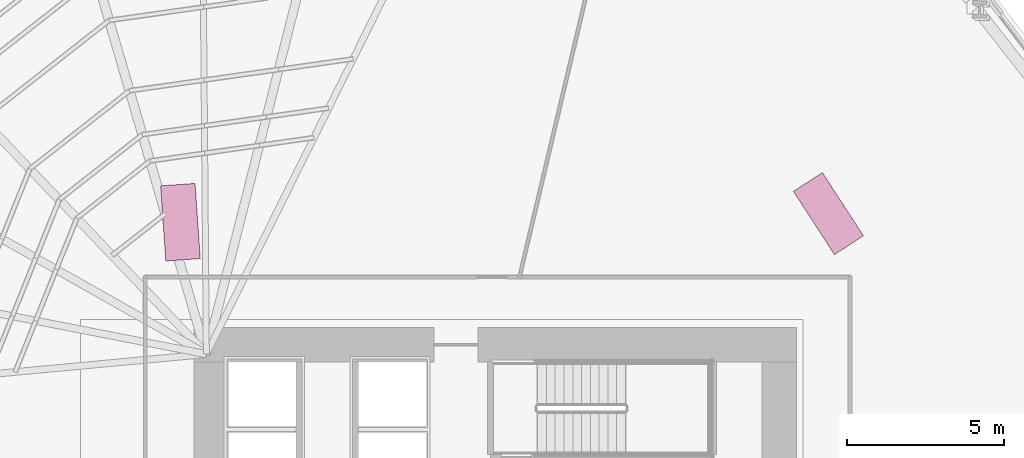
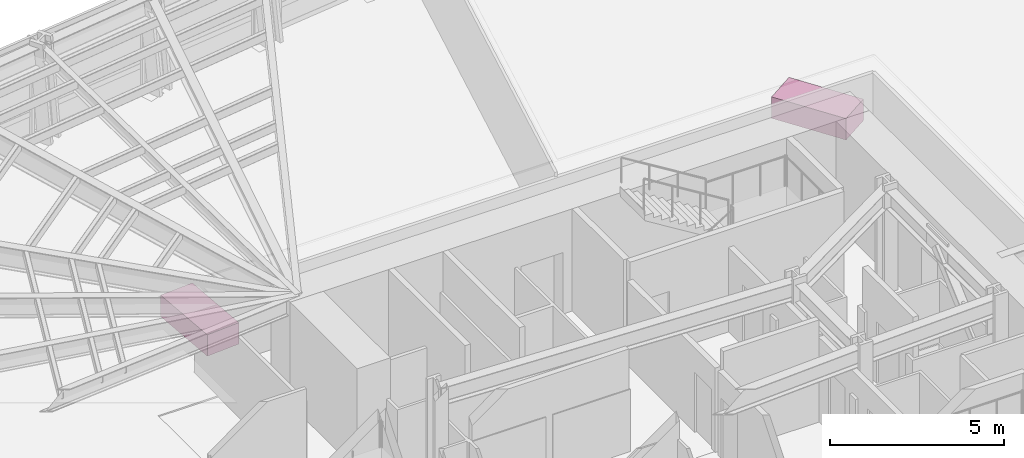
# One storey, part 16 of 16: 2 furniture elements.
"""IFC4 building model written with IfcOpenShell, lengths in metres."""

from ifc_helpers import new_model, si_unit, direction, frame, origin, origin_2d, place, context, subcontext, project, spatial, rectangle, extrude, material, type_object, element, save


model = new_model("IFC4")

# Units and contexts
model_context = context("Model", 3, precision=1e-05, world=origin(), true_north=direction((0.0, 1.0)))
body_context = subcontext(model_context, "Body", "Model", "MODEL_VIEW")
ifc_project = project(units=[si_unit("LENGTHUNIT", "METRE"), si_unit("AREAUNIT", "SQUARE_METRE"), si_unit("VOLUMEUNIT", "CUBIC_METRE"), si_unit("PLANEANGLEUNIT", "RADIAN"), si_unit("MASSUNIT", "GRAM", prefix="KILO")], contexts=[model_context])

# Site, building, storey
site_placement = place(None, origin())
site = spatial("IfcSite", under=ifc_project, at=site_placement, CompositionType="ELEMENT")
building_placement = place(site_placement, origin())
building = spatial("IfcBuilding", under=site, at=building_placement, Name="Valkerne Bourse Tower", CompositionType="ELEMENT")
storey_placement = place(building_placement, frame((0.0, 0.0, 54.39990234375)))
storey = spatial("IfcBuildingStorey", under=building, at=storey_placement, Name="L13", CompositionType="ELEMENT", Elevation=54.39990234375)

# Furniture
ifc_material = material(Name="Architectural White Oak Timber", Category="wood")
furniture_type = type_object("IfcFurnitureType", Name="FURN-DESK-2400", AssemblyPlace="NOTDEFINED", PredefinedType="DESK", material=ifc_material)
for number, where, z_axis, x_axis, name in (
    (1, (36.77490234375, 39.60302734375, 0.045166015625), (0.0, 0.0, 1.0), (-0.069756473744, 0.99756405026, 0.0), "L13 Suite Worktable 07"),
    (2, (57.412109375, 39.876953125, 0.045166015625), (0.0, 0.0, 1.0), (-0.544639035015, 0.838670567945, 0.0), "L13 Suite Worktable 08"),
):
    element("IfcFurniture", number, at=place(storey_placement, frame(where, z_axis=z_axis, x_axis=x_axis)), inside=storey, type_object=furniture_type, Name=name, PredefinedType="DESK", context=body_context, shape_type="SweptSolid", body=[
        extrude(rectangle(XDim=2.39990234375, YDim=1.10009765625, at=origin_2d()), origin(), (0.0, 0.0, 1.0), 0.75),
    ])

save(model, "model.ifc")
